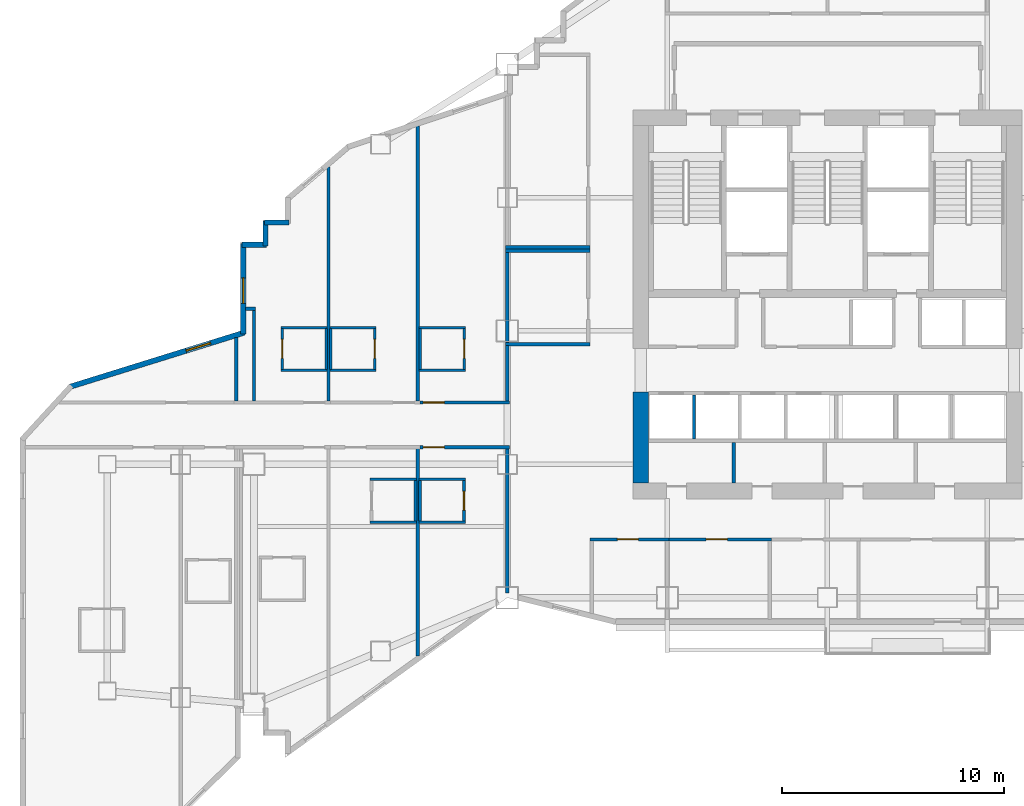
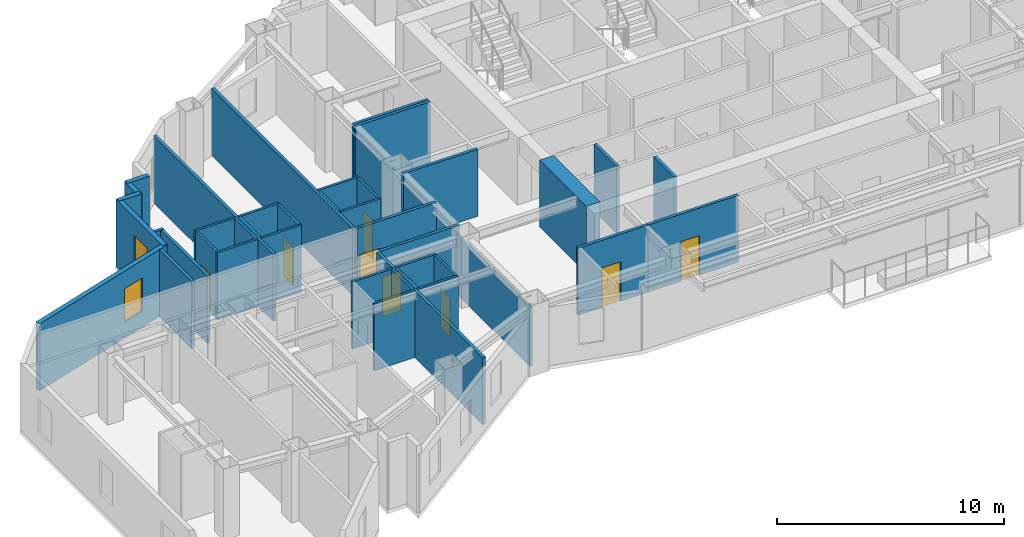
# One storey, part 6 of 13: 43 walls, 8 doors, 2 windows, 10 openings.
"""IFC4 building model written with IfcOpenShell, lengths in metres."""

import ifcopenshell
import ifcopenshell.guid

model = None  # the IFC model being written
_history = None  # IfcOwnerHistory: only IFC2X3 demands one
_inside = {}  # id of a spatial element -> (the spatial element, [elements in it])
_under = {}  # id of a project, library or spatial element -> (it, [spatial elements below it])
_declared = {}  # id of a project -> (the project, [libraries it declares])
_typed = {}  # id of a type object -> (the type object, [elements of that type])
_made_of = {}  # id of a material, layer set ... -> (it, [elements and type objects made of it])


def new_model(schema):
    """Start an empty IFC model of exactly this schema.

    Asked for "IFC4X3", IfcOpenShell would pick the latest addendum, in which some entities
    have other attributes; the version numbers below select the first issue.
    IFC2X3 requires an IfcOwnerHistory on every rooted entity: one is made here for all.
    """
    global model, _history
    if schema == "IFC4X3":
        model = ifcopenshell.file(schema_version=(4, 3, 0, 0))
    else:
        model = ifcopenshell.file(schema=schema)
    _inside.clear()
    _under.clear()
    _declared.clear()
    _typed.clear()
    _made_of.clear()
    _history = None
    if model.schema == "IFC2X3":
        org = make("IfcOrganization", Name="unknown")
        user = make(
            "IfcPersonAndOrganization",
            ThePerson=make("IfcPerson", FamilyName="unknown"),
            TheOrganization=org,
        )
        app = make(
            "IfcApplication",
            ApplicationDeveloper=org,
            Version="unknown",
            ApplicationFullName="unknown",
            ApplicationIdentifier="unknown",
        )
        _history = make(
            "IfcOwnerHistory",
            OwningUser=user,
            OwningApplication=app,
            ChangeAction="ADDED",
            CreationDate=0,
        )
    return model


def make(cls, **values):
    """One entity of the class cls with the attributes given. An attribute that is None is left unset."""
    return model.create_entity(
        cls, **{name: value for name, value in values.items() if value is not None}
    )


def rooted(cls, **values):
    """An entity with a GlobalId (a new one), such as an element, a storey or a relation."""
    return make(cls, GlobalId=ifcopenshell.guid.new(), OwnerHistory=_history, **values)


def si_unit(unit_type, name, prefix=None):
    """IfcSIUnit, for example si_unit("LENGTHUNIT", "METRE", prefix="MILLI")."""
    return make("IfcSIUnit", UnitType=unit_type, Prefix=prefix, Name=name)


def assignment(units):
    """IfcUnitAssignment: the units of a project."""
    return None if units is None else make("IfcUnitAssignment", Units=units)


def point(xyz):
    """IfcCartesianPoint."""
    return None if xyz is None else make("IfcCartesianPoint", Coordinates=xyz)


def direction(xyz):
    """IfcDirection."""
    return None if xyz is None else make("IfcDirection", DirectionRatios=xyz)


def frame(location, z_axis=None, x_axis=None):
    """IfcAxis2Placement3D, a coordinate frame: its origin and axes. An axis left out is left unset."""
    return make(
        "IfcAxis2Placement3D",
        Location=point(location),
        Axis=direction(z_axis),
        RefDirection=direction(x_axis),
    )


def frame_2d(location, x_axis=None):
    """IfcAxis2Placement2D, a coordinate frame in the plane: its origin and x axis."""
    return make(
        "IfcAxis2Placement2D", Location=point(location), RefDirection=direction(x_axis)
    )


def origin():
    """The frame at (0, 0, 0) with its axes left unset."""
    return frame((0.0, 0.0, 0.0))


def place(relative_to, where):
    """IfcLocalPlacement: puts the frame where relative to a parent placement (None: the world)."""
    return make(
        "IfcLocalPlacement", PlacementRelTo=relative_to, RelativePlacement=where
    )


def context(
    kind, dimensions, precision=None, world=None, true_north=None, identifier=None
):
    """IfcGeometricRepresentationContext, for example the 3D "Model" context."""
    return make(
        "IfcGeometricRepresentationContext",
        ContextIdentifier=identifier,
        ContextType=kind,
        CoordinateSpaceDimension=dimensions,
        Precision=precision,
        WorldCoordinateSystem=world,
        TrueNorth=true_north,
    )


def subcontext(parent, identifier, kind, view, scale=None):
    """IfcGeometricRepresentationSubContext, for example "Body" below "Model"."""
    return make(
        "IfcGeometricRepresentationSubContext",
        ContextIdentifier=identifier,
        ContextType=kind,
        ParentContext=parent,
        TargetScale=scale,
        TargetView=view,
    )


def project(units=None, contexts=None):
    """IfcProject with its units and contexts."""
    return rooted(
        "IfcProject",
        Name="project",
        RepresentationContexts=contexts,
        UnitsInContext=assignment(units),
    )


def spatial(cls, under=None, at=None, **own):
    """A site, building, storey or space (cls), placed at a placement, below another one or the project."""
    s = rooted(cls, ObjectPlacement=at, **own)
    if under is not None:
        _under.setdefault(under.id(), (under, []))[1].append(s)
    return s


def profile(cls, at=None, kind="AREA", **sizes):
    """A parametric profile (cls). Its sizes go by their IFC names, for example OverallWidth=200.0."""
    return make(cls, ProfileType=kind, Position=at, **sizes)


def rectangle(**sizes):
    """IfcRectangleProfileDef."""
    return profile("IfcRectangleProfileDef", **sizes)


def extrude(swept, where, along, depth):
    """IfcExtrudedAreaSolid: the profile swept, set in the frame where, extruded along a direction by depth."""
    return make(
        "IfcExtrudedAreaSolid",
        SweptArea=swept,
        Position=where,
        ExtrudedDirection=direction(along),
        Depth=depth,
    )


def shape(context_of_items, identifier, shape_type, items):
    """IfcShapeRepresentation: the items that make up one representation, for example the "Body"."""
    return make(
        "IfcShapeRepresentation",
        ContextOfItems=context_of_items,
        RepresentationIdentifier=identifier,
        RepresentationType=shape_type,
        Items=items,
    )


def material(Name=None, Category=None):
    """IfcMaterial."""
    return make("IfcMaterial", Name=Name, Category=Category)


def layer(
    of_material, thickness, ventilated=None, Name=None, Category=None, Priority=None
):
    """IfcMaterialLayer: one layer of a wall or slab, of a material (None: an air gap)."""
    return make(
        "IfcMaterialLayer",
        Material=of_material,
        LayerThickness=thickness,
        IsVentilated=ventilated,
        Name=Name,
        Category=Category,
        Priority=Priority,
    )


def layer_set(layers, Name=None):
    """IfcMaterialLayerSet."""
    return make("IfcMaterialLayerSet", MaterialLayers=layers, LayerSetName=Name)


def made_of(thing, what):
    """Note that an element or type object is made of a material, layer set ...; save() writes the relation."""
    if what is not None:
        _made_of.setdefault(what.id(), (what, []))[1].append(thing)
    return thing


def type_object(cls, material=None, **own):
    """A type object (cls), such as IfcWallType, which elements share."""
    return made_of(rooted(cls, **own), material)


def element(
    cls,
    number,
    at=None,
    inside=None,
    cuts=None,
    type_object=None,
    material=None,
    context=None,
    identifier="Body",
    shape_type=None,
    held_by="IfcProductDefinitionShape",
    body=None,
    shapes=None,
    **own,
):
    """One element of the class cls, such as IfcWall. Its Tag is "e" and its number.

    at: its placement. inside: the storey or other place that contains it. cuts: it is an
    opening in that element (IfcRelVoidsElement). A single representation is given by context,
    identifier, shape_type and body (its items); several are given by shapes. held_by: the class
    of the entity that holds the representations. save() writes the other relations.
    """
    e = rooted(cls, Tag="e%d" % number, ObjectPlacement=at, **own)
    if body is not None:
        shapes = [shape(context, identifier, shape_type, body)]
    if shapes is not None:
        e.Representation = make(held_by, Representations=shapes)
    if inside is not None:
        _inside.setdefault(inside.id(), (inside, []))[1].append(e)
    if cuts is not None:
        rooted(
            "IfcRelVoidsElement", RelatingBuildingElement=cuts, RelatedOpeningElement=e
        )
    if type_object is not None:
        _typed.setdefault(type_object.id(), (type_object, []))[1].append(e)
    return made_of(e, material)


def fill(opening, filler):
    """IfcRelFillsElement: the door or window that sits in an opening."""
    return rooted(
        "IfcRelFillsElement",
        RelatingOpeningElement=opening,
        RelatedBuildingElement=filler,
    )


def aggregate(whole, parts):
    """IfcRelAggregates: a whole, such as a stair, and the parts it consists of."""
    return rooted("IfcRelAggregates", RelatingObject=whole, RelatedObjects=parts)


def save(model, path):
    """Write the relations noted so far, then the file.

    IfcRelAggregates (storeys below a building ...), IfcRelContainedInSpatialStructure (elements
    in a storey), IfcRelDefinesByType, IfcRelAssociatesMaterial and IfcRelDeclares: one each for
    every whole, place, type object, material and project.
    """
    for whole, parts in _under.values():
        aggregate(whole, parts)
    for where, things in _inside.values():
        rooted(
            "IfcRelContainedInSpatialStructure",
            RelatedElements=things,
            RelatingStructure=where,
        )
    for kind, things in _typed.values():
        rooted("IfcRelDefinesByType", RelatedObjects=things, RelatingType=kind)
    for what, things in _made_of.values():
        rooted("IfcRelAssociatesMaterial", RelatedObjects=things, RelatingMaterial=what)
    for by, libraries in _declared.values():
        rooted("IfcRelDeclares", RelatingContext=by, RelatedDefinitions=libraries)
    model.write(path)


model = new_model("IFC4")

# Units and contexts
model_context = context("Model", 3, precision=1e-05, world=origin(), true_north=direction((0.0, 1.0)))
body_context = subcontext(model_context, "Body", "Model", "MODEL_VIEW")
ifc_project = project(units=[si_unit("LENGTHUNIT", "METRE"), si_unit("AREAUNIT", "SQUARE_METRE"), si_unit("VOLUMEUNIT", "CUBIC_METRE"), si_unit("PLANEANGLEUNIT", "RADIAN"), si_unit("MASSUNIT", "GRAM", prefix="KILO")], contexts=[model_context])

# Site, building, storey
site_placement = place(None, origin())
site = spatial("IfcSite", under=ifc_project, at=site_placement, CompositionType="ELEMENT")
building_placement = place(site_placement, origin())
building = spatial("IfcBuilding", under=site, at=building_placement, Name="Haolan Belvedere Tower", CompositionType="ELEMENT")
storey_placement = place(building_placement, frame((0.0, 0.0, 117.39990234375)))
storey = spatial("IfcBuildingStorey", under=building, at=storey_placement, Name="L29", CompositionType="ELEMENT", Elevation=117.39990234375)

# Walls
ifc_material_1 = material(Name="Concrete C60/75", Category="concrete")
ifc_layer_1 = layer(ifc_material_1, 0.699951171875, Name="Concrete C60/75")
ifc_layer_set_1 = layer_set([ifc_layer_1], Name="Concrete C60/75")
wall_type_1 = type_object("IfcWallType", Name="WL-CORE-700", PredefinedType="SHEAR", material=ifc_layer_set_1)
wall_1_placement = place(storey_placement, frame((30.0, 26.75, 0.0), z_axis=(0.0, 0.0, 1.0), x_axis=(0.0, 1.0, 0.0)))
element("IfcWall", 1, at=wall_1_placement, inside=storey, type_object=wall_type_1, Name="L29 central core shear wall WS", PredefinedType="SHEAR", context=body_context, shape_type="SweptSolid", body=[
    extrude(rectangle(XDim=4.10009765625, YDim=0.699951171875, at=frame_2d((2.050048828125, 0.0))), origin(), (0.0, 0.0, 1.0), 3.60009765625),
])
ifc_material_2 = material(Name="Precast concrete C40/50", Category="concrete")
ifc_layer_2 = layer(ifc_material_2, 0.239990234375, Name="Precast concrete C40/50")
ifc_layer_set_2 = layer_set([ifc_layer_2], Name="Precast concrete C40/50")
wall_type_2 = type_object("IfcWallType", Name="WL-EXT-240", PredefinedType="SOLIDWALL", material=ifc_layer_set_2)
wall_2_placement = place(storey_placement, frame((14.175048828125, 38.47998046875, 0.0), z_axis=(0.0, 0.0, 1.0), x_axis=(-1.0, 0.0, 0.0)))
element("IfcWall", 2, at=wall_2_placement, inside=storey, type_object=wall_type_2, Name="L29 pale-metal exterior spandrel wall 38.1", PredefinedType="SOLIDWALL", context=body_context, shape_type="SweptSolid", body=[
    extrude(rectangle(XDim=1.110107421875, YDim=0.239990234375, at=frame_2d((0.55517578125, 0.0))), origin(), (0.0, 0.0, 1.0), 3.60009765625),
])
wall_3_placement = place(storey_placement, frame((13.1201171875, 38.534912109375, 0.0), z_axis=(0.0, 0.0, 1.0), x_axis=(0.0, -1.0, 0.0)))
element("IfcWall", 3, at=wall_3_placement, inside=storey, type_object=wall_type_2, Name="L29 pale-metal exterior spandrel wall 39.1", PredefinedType="SOLIDWALL", context=body_context, shape_type="SweptSolid", body=[
    extrude(rectangle(XDim=1.10986328125, YDim=0.239990234375, at=frame_2d((0.554931640625, 0.0))), origin(), (0.0, 0.0, 1.0), 3.60009765625),
])
wall_4_placement = place(storey_placement, frame((13.175048828125, 37.47998046875, 0.0), z_axis=(0.0, 0.0, 1.0), x_axis=(-1.0, 0.0, 0.0)))
element("IfcWall", 4, at=wall_4_placement, inside=storey, type_object=wall_type_2, Name="L29 pale-metal exterior spandrel wall 40.1", PredefinedType="SOLIDWALL", context=body_context, shape_type="SweptSolid", body=[
    extrude(rectangle(XDim=1.110107421875, YDim=0.239990234375, at=frame_2d((0.55517578125, 0.0))), origin(), (0.0, 0.0, 1.0), 3.60009765625),
])

# Wall, opening, window
wall_5_placement = place(storey_placement, frame((12.1201171875, 37.534912109375, 0.0), z_axis=(0.0, 0.0, 1.0), x_axis=(0.0, -1.0, 0.0)))
wall_5 = element("IfcWall", 5, at=wall_5_placement, inside=storey, type_object=wall_type_2, Name="L29 pale-metal exterior spandrel wall 41.1", PredefinedType="SOLIDWALL", context=body_context, shape_type="SweptSolid", body=[
    extrude(rectangle(XDim=4.078369140625, YDim=0.239990234375, at=frame_2d((2.0390625, 0.0))), origin(), (0.0, 0.0, 1.0), 3.60009765625),
])
opening_1_placement = place(wall_5_placement, frame((1.550048828125, 0.0, 0.85009765625)))
opening_1 = element("IfcOpeningElement", 6, at=opening_1_placement, cuts=wall_5, Name="Opening W-02", PredefinedType="OPENING", context=body_context, shape_type="SweptSolid", body=[
    extrude(rectangle(XDim=1.14990234375, YDim=1.800048828125, at=frame_2d((0.574951171875, 0.89990234375))), frame((0.0, 0.1298828125, 0.0), z_axis=(0.0, -1.0, 0.0), x_axis=(1.0, 0.0, 0.0)), (0.0, 0.0, 1.0), 0.260009765625),
])
ifc_material_3 = material(Name="Anodised aluminium 6063-T6 and Low-E glass", Category="aluminium")
window_type = type_object("IfcWindowType", Name="WN-DECO-Z2", PartitioningType="SINGLE_PANEL", PredefinedType="WINDOW", material=ifc_material_3)
window_1_placement = place(opening_1_placement, origin())
window_1 = element("IfcWindow", 7, at=window_1_placement, inside=storey, type_object=window_type, Name="L29 Art Deco chevron window 1", OverallHeight=1.800048828125, OverallWidth=1.14990234375, PartitioningType="SINGLE_PANEL", PredefinedType="WINDOW", context=body_context, shape_type="SweptSolid", body=[
    extrude(rectangle(XDim=1.14990234375, YDim=1.800048828125, at=frame_2d((0.574951171875, 0.89990234375))), frame((0.0, 0.030029296875, 0.0), z_axis=(0.0, -1.0, 0.0), x_axis=(1.0, 0.0, 0.0)), (0.0, 0.0, 1.0), 0.06005859375),
])
fill(opening_1, window_1)

wall_6_placement = place(storey_placement, frame((12.172607421875, 33.52783203125, 0.0), z_axis=(0.0, 0.0, 1.0), x_axis=(-0.954920174609, -0.296862695745, 0.0)))
wall_6 = element("IfcWall", 8, at=wall_6_placement, inside=storey, type_object=wall_type_2, Name="L29 pale-metal exterior spandrel wall 42.1", PredefinedType="SOLIDWALL", context=body_context, shape_type="SweptSolid", body=[
    extrude(rectangle(XDim=8.250244140625, YDim=0.239990234375, at=frame_2d((4.125, 0.0))), origin(), (0.0, 0.0, 1.0), 3.60009765625),
])
opening_2_placement = place(wall_6_placement, frame((1.60009765625, 0.0, 0.85009765625)))
opening_2 = element("IfcOpeningElement", 9, at=opening_2_placement, cuts=wall_6, Name="Opening W-02", PredefinedType="OPENING", context=body_context, shape_type="SweptSolid", body=[
    extrude(rectangle(XDim=1.14990234375, YDim=1.800048828125, at=frame_2d((0.574951171875, 0.89990234375))), frame((0.0, 0.1298828125, 0.0), z_axis=(0.0, -1.0, 0.0), x_axis=(1.0, 0.0, 0.0)), (0.0, 0.0, 1.0), 0.260009765625),
])
window_2_placement = place(opening_2_placement, origin())
window_2 = element("IfcWindow", 10, at=window_2_placement, inside=storey, type_object=window_type, Name="L29 Art Deco chevron window 1", OverallHeight=1.800048828125, OverallWidth=1.14990234375, PartitioningType="SINGLE_PANEL", PredefinedType="WINDOW", context=body_context, shape_type="SweptSolid", body=[
    extrude(rectangle(XDim=1.14990234375, YDim=1.800048828125, at=frame_2d((0.574951171875, 0.89990234375))), frame((0.0, 0.030029296875, 0.0), z_axis=(0.0, -1.0, 0.0), x_axis=(1.0, 0.0, 0.0)), (0.0, 0.0, 1.0), 0.06005859375),
])
fill(opening_2, window_2)

# Walls
ifc_material_4 = material(Name="Double gypsum acoustic stud partition", Category="masonry")
ifc_layer_3 = layer(ifc_material_4, 0.14990234375, Name="Double gypsum acoustic stud partition")
ifc_layer_set_3 = layer_set([ifc_layer_3], Name="Double gypsum acoustic stud partition")
wall_type_3 = type_object("IfcWallType", Name="WL-PART-150", PredefinedType="PARTITIONING", material=ifc_layer_set_3)
wall_7_placement = place(storey_placement, frame((34.179931640625, 26.760009765625, 0.0), z_axis=(0.0, 0.0, 1.0), x_axis=(0.0, 1.0, 0.0)))
element("IfcWall", 11, at=wall_7_placement, inside=storey, type_object=wall_type_3, Name="L29 interior partition IW-L29-SCV-DIV-1", PredefinedType="PARTITIONING", context=body_context, shape_type="SweptSolid", body=[
    extrude(rectangle(XDim=1.820068359375, YDim=0.14990234375, at=frame_2d((0.91015625, 0.0))), origin(), (0.0, 0.0, 1.0), 3.60009765625),
])
for number, where, z_axis, x_axis, name in (
    (12, (23.919921875, 37.199951171875, 0.0), (0.0, 0.0, 1.0), (1.0, 0.0, 0.0), "L29 interior partition IW-L29-HSK-N"),
    (13, (23.919921875, 33.0, 0.0), (0.0, 0.0, 1.0), (1.0, 0.0, 0.0), "L29 interior partition IW-L29-HSK-S"),
):
    element("IfcWall", number, at=place(storey_placement, frame(where, z_axis=z_axis, x_axis=x_axis)), inside=storey, type_object=wall_type_3, Name=name, PredefinedType="PARTITIONING", context=body_context, shape_type="SweptSolid", body=[
        extrude(rectangle(XDim=3.800048828125, YDim=0.14990234375, at=frame_2d((1.89990234375, 0.0))), origin(), (0.0, 0.0, 1.0), 3.60009765625),
    ])
wall_8_placement = place(storey_placement, frame((24.0, 33.06005859375, 0.0), z_axis=(0.0, 0.0, 1.0), x_axis=(0.0, 1.0, 0.0)))
element("IfcWall", 14, at=wall_8_placement, inside=storey, type_object=wall_type_3, Name="L29 interior partition IW-L29-HSK-W", PredefinedType="PARTITIONING", context=body_context, shape_type="SweptSolid", body=[
    extrude(rectangle(XDim=4.079833984375, YDim=0.14990234375, at=frame_2d((2.0400390625, 0.0))), origin(), (0.0, 0.0, 1.0), 3.14501953125),
])
wall_9_placement = place(storey_placement, frame((23.919921875, 37.360107421875, 0.0), z_axis=(0.0, 0.0, 1.0), x_axis=(1.0, 0.0, 0.0)))
element("IfcWall", 15, at=wall_9_placement, inside=storey, type_object=wall_type_3, Name="L29 interior partition IW-L29-MTG-S", PredefinedType="PARTITIONING", context=body_context, shape_type="SweptSolid", body=[
    extrude(rectangle(XDim=3.800048828125, YDim=0.14990234375, at=frame_2d((1.89990234375, 0.0))), origin(), (0.0, 0.0, 1.0), 3.60009765625),
])

# Wall, opening, door
wall_10_placement = place(storey_placement, frame((27.719970703125, 24.219970703125, 0.0), z_axis=(0.0, 0.0, 1.0), x_axis=(1.0, 0.0, 0.0)))
wall_10 = element("IfcWall", 16, at=wall_10_placement, inside=storey, type_object=wall_type_3, Name="L29 interior partition IW-L29-KS2-N", PredefinedType="PARTITIONING", context=body_context, shape_type="SweptSolid", body=[
    extrude(rectangle(XDim=3.56005859375, YDim=0.14990234375, at=frame_2d((1.780029296875, 0.0))), origin(), (0.0, 0.0, 1.0), 3.60009765625),
])
opening_3_placement = place(wall_10_placement, frame((2.175048828125, 0.0, 0.0), z_axis=(0.0, 0.0, 1.0), x_axis=(-1.0, 0.0, 0.0)))
opening_3 = element("IfcOpeningElement", 17, at=opening_3_placement, cuts=wall_10, Name="Opening ID-03", PredefinedType="OPENING", context=body_context, shape_type="SweptSolid", body=[
    extrude(rectangle(XDim=0.949951171875, YDim=2.1201171875, at=frame_2d((0.47509765625, 1.06005859375))), frame((0.0, 0.0849609375, 0.0), z_axis=(0.0, -1.0, 0.0), x_axis=(1.0, 0.0, 0.0)), (0.0, 0.0, 1.0), 0.169921875),
])
ifc_material_5 = material(Name="Painted solid-core timber", Category="wood")
door_type_1 = type_object("IfcDoorType", Name="DR-INT-950", OperationType="NOTDEFINED", PredefinedType="DOOR", material=ifc_material_5)
door_1_placement = place(opening_3_placement, origin())
door_1 = element("IfcDoor", 18, at=door_1_placement, inside=storey, type_object=door_type_1, Name="L29 door ID-L29-KS2", OperationType="SINGLE_SWING_RIGHT", OverallHeight=2.1201171875, OverallWidth=0.949951171875, PredefinedType="DOOR", context=body_context, shape_type="SweptSolid", body=[
    extrude(rectangle(XDim=0.949951171875, YDim=2.1201171875, at=frame_2d((0.47509765625, 1.06005859375))), frame((0.0, 0.02490234375, 0.0), z_axis=(0.0, -1.0, 0.0), x_axis=(1.0, 0.0, 0.0)), (0.0, 0.0, 1.0), 0.050048828125),
])
fill(opening_3, door_1)

wall_11_placement = place(storey_placement, frame((31.281982421875, 24.219970703125, 0.0), z_axis=(0.0, 0.0, 1.0), x_axis=(1.0, 0.0, 0.0)))
wall_11 = element("IfcWall", 19, at=wall_11_placement, inside=storey, type_object=wall_type_3, Name="L29 interior partition IW-L29-KS3-N", PredefinedType="PARTITIONING", context=body_context, shape_type="SweptSolid", body=[
    extrude(rectangle(XDim=4.597900390625, YDim=0.14990234375, at=frame_2d((2.298828125, 0.0))), origin(), (0.0, 0.0, 1.0), 3.60009765625),
])
opening_4_placement = place(wall_11_placement, frame((2.613037109375, 0.0, 0.0), z_axis=(0.0, 0.0, 1.0), x_axis=(-1.0, 0.0, 0.0)))
opening_4 = element("IfcOpeningElement", 20, at=opening_4_placement, cuts=wall_11, Name="Opening ID-03", PredefinedType="OPENING", context=body_context, shape_type="SweptSolid", body=[
    extrude(rectangle(XDim=0.949951171875, YDim=2.1201171875, at=frame_2d((0.47509765625, 1.06005859375))), frame((0.0, 0.0849609375, 0.0), z_axis=(0.0, -1.0, 0.0), x_axis=(1.0, 0.0, 0.0)), (0.0, 0.0, 1.0), 0.169921875),
])
door_2_placement = place(opening_4_placement, origin())
door_2 = element("IfcDoor", 21, at=door_2_placement, inside=storey, type_object=door_type_1, Name="L29 door ID-L29-KS3", OperationType="SINGLE_SWING_LEFT", OverallHeight=2.1201171875, OverallWidth=0.949951171875, PredefinedType="DOOR", context=body_context, shape_type="SweptSolid", body=[
    extrude(rectangle(XDim=0.949951171875, YDim=2.1201171875, at=frame_2d((0.47509765625, 1.06005859375))), frame((0.0, 0.02490234375, 0.0), z_axis=(0.0, -1.0, 0.0), x_axis=(1.0, 0.0, 0.0)), (0.0, 0.0, 1.0), 0.050048828125),
])
fill(opening_4, door_2)

# Walls
wall_12_placement = place(storey_placement, frame((11.800048828125, 30.43994140625, 0.0), z_axis=(0.0, 0.0, 1.0), x_axis=(0.0, 1.0, 0.0)))
element("IfcWall", 22, at=wall_12_placement, inside=storey, type_object=wall_type_3, Name="L29 interior partition IW-L29-T2N1-W", PredefinedType="PARTITIONING", context=body_context, shape_type="SweptSolid", body=[
    extrude(rectangle(XDim=2.862060546875, YDim=0.14990234375, at=frame_2d((1.43115234375, 0.0))), origin(), (0.0, 0.0, 1.0), 3.60009765625),
])
wall_13_placement = place(storey_placement, frame((15.949951171875, 30.43994140625, 0.0), z_axis=(0.0, 0.0, 1.0), x_axis=(0.0, 1.0, 0.0)))
element("IfcWall", 23, at=wall_13_placement, inside=storey, type_object=wall_type_3, Name="L29 interior partition IW-L29-T2N1-E", PredefinedType="PARTITIONING", context=body_context, shape_type="SweptSolid", body=[
    extrude(rectangle(XDim=10.53515625, YDim=0.14990234375, at=frame_2d((5.267578125, 0.0))), origin(), (0.0, 0.0, 1.0), 3.60009765625),
])
wall_14_placement = place(storey_placement, frame((19.969970703125, 30.43994140625, 0.0), z_axis=(0.0, 0.0, 1.0), x_axis=(0.0, 1.0, 0.0)))
element("IfcWall", 24, at=wall_14_placement, inside=storey, type_object=wall_type_3, Name="L29 interior partition IW-L29-T2N2-E", PredefinedType="PARTITIONING", context=body_context, shape_type="SweptSolid", body=[
    extrude(rectangle(XDim=12.379638671875, YDim=0.14990234375, at=frame_2d((6.18994140625, 0.0))), origin(), (0.0, 0.0, 1.0), 3.60009765625),
])

# Wall, opening, door
wall_15_placement = place(storey_placement, frame((20.072021484375, 30.3798828125, 0.0), z_axis=(0.0, 0.0, 1.0), x_axis=(1.0, 0.0, 0.0)))
wall_15 = element("IfcWall", 25, at=wall_15_placement, inside=storey, type_object=wall_type_3, Name="L29 interior partition IW-L29-T2N3-S", PredefinedType="PARTITIONING", context=body_context, shape_type="SweptSolid", body=[
    extrude(rectangle(XDim=4.028076171875, YDim=0.14990234375, at=frame_2d((2.01416015625, 0.0))), origin(), (0.0, 0.0, 1.0), 3.60009765625),
])
opening_5_placement = place(wall_15_placement, frame((0.139892578125, 0.0, 0.0)))
opening_5 = element("IfcOpeningElement", 26, at=opening_5_placement, cuts=wall_15, Name="Opening ID-02", PredefinedType="OPENING", context=body_context, shape_type="SweptSolid", body=[
    extrude(rectangle(XDim=0.949951171875, YDim=2.14990234375, at=frame_2d((0.47509765625, 1.074951171875))), frame((0.0, 0.0849609375, 0.0), z_axis=(0.0, -1.0, 0.0), x_axis=(1.0, 0.0, 0.0)), (0.0, 0.0, 1.0), 0.169921875),
])
ifc_material_6 = material(Name="Acoustic oak veneer fire-rated timber", Category="wood")
door_type_2 = type_object("IfcDoorType", Name="DR-GUEST-950", OperationType="NOTDEFINED", PredefinedType="DOOR", material=ifc_material_6)
door_3_placement = place(opening_5_placement, origin())
door_3 = element("IfcDoor", 27, at=door_3_placement, inside=storey, type_object=door_type_2, Name="L29 door ID-L29-T2N3-ENT", OperationType="SINGLE_SWING_RIGHT", OverallHeight=2.14990234375, OverallWidth=0.949951171875, PredefinedType="DOOR", context=body_context, shape_type="SweptSolid", body=[
    extrude(rectangle(XDim=0.949951171875, YDim=2.14990234375, at=frame_2d((0.47509765625, 1.074951171875))), frame((0.0, 0.02490234375, 0.0), z_axis=(0.0, -1.0, 0.0), x_axis=(1.0, 0.0, 0.0)), (0.0, 0.0, 1.0), 0.050048828125),
])
fill(opening_5, door_3)

# Walls
wall_16_placement = place(storey_placement, frame((24.0, 30.43994140625, 0.0), z_axis=(0.0, 0.0, 1.0), x_axis=(0.0, 1.0, 0.0)))
element("IfcWall", 28, at=wall_16_placement, inside=storey, type_object=wall_type_3, Name="L29 interior partition IW-L29-T2N3-E", PredefinedType="PARTITIONING", context=body_context, shape_type="SweptSolid", body=[
    extrude(rectangle(XDim=2.5, YDim=0.14990234375, at=frame_2d((1.25, 0.0))), origin(), (0.0, 0.0, 1.0), 3.14501953125),
])
wall_17_placement = place(storey_placement, frame((19.969970703125, 18.9755859375, 0.0), z_axis=(0.0, 0.0, 1.0), x_axis=(0.0, 1.0, 0.0)))
element("IfcWall", 29, at=wall_17_placement, inside=storey, type_object=wall_type_3, Name="L29 interior partition IW-L29-T2S2-E", PredefinedType="PARTITIONING", context=body_context, shape_type="SweptSolid", body=[
    extrude(rectangle(XDim=9.33447265625, YDim=0.14990234375, at=frame_2d((4.667236328125, 0.0))), origin(), (0.0, 0.0, 1.0), 3.60009765625),
])

# Wall, opening, door
wall_18_placement = place(storey_placement, frame((20.072021484375, 28.3701171875, 0.0), z_axis=(0.0, 0.0, 1.0), x_axis=(1.0, 0.0, 0.0)))
wall_18 = element("IfcWall", 30, at=wall_18_placement, inside=storey, type_object=wall_type_3, Name="L29 interior partition IW-L29-T2S3-N", PredefinedType="PARTITIONING", context=body_context, shape_type="SweptSolid", body=[
    extrude(rectangle(XDim=4.028076171875, YDim=0.14990234375, at=frame_2d((2.01416015625, 0.0))), origin(), (0.0, 0.0, 1.0), 3.60009765625),
])
opening_6_placement = place(wall_18_placement, frame((1.08984375, 0.0, 0.0), z_axis=(0.0, 0.0, 1.0), x_axis=(-1.0, 0.0, 0.0)))
opening_6 = element("IfcOpeningElement", 31, at=opening_6_placement, cuts=wall_18, Name="Opening ID-02", PredefinedType="OPENING", context=body_context, shape_type="SweptSolid", body=[
    extrude(rectangle(XDim=0.949951171875, YDim=2.14990234375, at=frame_2d((0.47509765625, 1.074951171875))), frame((0.0, 0.0849609375, 0.0), z_axis=(0.0, -1.0, 0.0), x_axis=(1.0, 0.0, 0.0)), (0.0, 0.0, 1.0), 0.169921875),
])
door_4_placement = place(opening_6_placement, origin())
door_4 = element("IfcDoor", 32, at=door_4_placement, inside=storey, type_object=door_type_2, Name="L29 door ID-L29-T2S3-ENT", OperationType="SINGLE_SWING_LEFT", OverallHeight=2.14990234375, OverallWidth=0.949951171875, PredefinedType="DOOR", context=body_context, shape_type="SweptSolid", body=[
    extrude(rectangle(XDim=0.949951171875, YDim=2.14990234375, at=frame_2d((0.47509765625, 1.074951171875))), frame((0.0, 0.02490234375, 0.0), z_axis=(0.0, -1.0, 0.0), x_axis=(1.0, 0.0, 0.0)), (0.0, 0.0, 1.0), 0.050048828125),
])
fill(opening_6, door_4)

# Walls
wall_19_placement = place(storey_placement, frame((24.0, 21.818603515625, 0.0), z_axis=(0.0, 0.0, 1.0), x_axis=(0.0, 1.0, 0.0)))
element("IfcWall", 33, at=wall_19_placement, inside=storey, type_object=wall_type_3, Name="L29 interior partition IW-L29-T2S3-E", PredefinedType="PARTITIONING", context=body_context, shape_type="SweptSolid", body=[
    extrude(rectangle(XDim=6.491455078125, YDim=0.14990234375, at=frame_2d((3.24560546875, 0.0))), origin(), (0.0, 0.0, 1.0), 3.14501953125),
])
wall_20_placement = place(storey_placement, frame((12.22509765625, 34.60009765625, 0.0), z_axis=(0.0, 0.0, 1.0), x_axis=(1.0, 0.0, 0.0)))
element("IfcWall", 34, at=wall_20_placement, inside=storey, type_object=wall_type_3, Name="L29 interior partition IW-L29-T1N1-N", PredefinedType="PARTITIONING", context=body_context, shape_type="SweptSolid", body=[
    extrude(rectangle(XDim=0.454833984375, YDim=0.14990234375, at=frame_2d((0.2275390625, 0.0))), origin(), (0.0, 0.0, 1.0), 3.60009765625),
])
wall_21_placement = place(storey_placement, frame((12.60009765625, 30.43994140625, 0.0), z_axis=(0.0, 0.0, 1.0), x_axis=(0.0, 1.0, 0.0)))
element("IfcWall", 35, at=wall_21_placement, inside=storey, type_object=wall_type_3, Name="L29 interior partition IW-L29-T1N1-E", PredefinedType="PARTITIONING", context=body_context, shape_type="SweptSolid", body=[
    extrude(rectangle(XDim=4.10009765625, YDim=0.14990234375, at=frame_2d((2.050048828125, 0.0))), origin(), (0.0, 0.0, 1.0), 3.60009765625),
])
ifc_material_7 = material(Name="Gypsum fire shaftwall assembly", Category="masonry")
ifc_layer_4 = layer(ifc_material_7, 0.1650390625, Name="Gypsum fire shaftwall assembly")
ifc_layer_set_4 = layer_set([ifc_layer_4], Name="Gypsum fire shaftwall assembly")
wall_type_4 = type_object("IfcWallType", Name="WL-SHAFT-160", PredefinedType="SOLIDWALL", material=ifc_layer_set_4)
wall_22_placement = place(storey_placement, frame((32.39990234375, 28.735107421875, 0.0), z_axis=(0.0, 0.0, 1.0), x_axis=(0.0, 1.0, 0.0)))
element("IfcWall", 36, at=wall_22_placement, inside=storey, type_object=wall_type_4, Name="L29 interior partition IW-L29-DIV-PM1", PredefinedType="SOLIDWALL", context=body_context, shape_type="SweptSolid", body=[
    extrude(rectangle(XDim=1.98486328125, YDim=0.14990234375, at=frame_2d((0.992431640625, 0.0))), origin(), (0.0, 0.0, 1.0), 3.60009765625),
])
ifc_material_8 = material(Name="Moisture-resistant gypsum tile partition", Category="masonry")
ifc_layer_5 = layer(ifc_material_8, 0.1201171875, Name="Moisture-resistant gypsum tile partition")
ifc_layer_set_5 = layer_set([ifc_layer_5], Name="Moisture-resistant gypsum tile partition")
wall_type_5 = type_object("IfcWallType", Name="WL-WET-120", PredefinedType="PARTITIONING", material=ifc_layer_set_5)
for number, where, z_axis, x_axis, name in (
    (37, (13.81005859375, 33.75, 0.0), (0.0, 0.0, 1.0), (1.0, 0.0, 0.0), "L29 interior partition IW-L29-T2N1-BN"),
    (38, (13.81005859375, 31.830078125, 0.0), (0.0, 0.0, 1.0), (1.0, 0.0, 0.0), "L29 interior partition IW-L29-T2N1-BS"),
):
    element("IfcWall", number, at=place(storey_placement, frame(where, z_axis=z_axis, x_axis=x_axis)), inside=storey, type_object=wall_type_5, Name=name, PredefinedType="PARTITIONING", context=body_context, shape_type="SweptSolid", body=[
        extrude(rectangle(XDim=2.079833984375, YDim=0.1201171875, at=frame_2d((1.0400390625, 0.0))), origin(), (0.0, 0.0, 1.0), 3.60009765625),
    ])

# Wall, opening, door
wall_23_placement = place(storey_placement, frame((13.8701171875, 31.875, 0.0), z_axis=(0.0, 0.0, 1.0), x_axis=(0.0, 1.0, 0.0)))
wall_23 = element("IfcWall", 39, at=wall_23_placement, inside=storey, type_object=wall_type_5, Name="L29 interior partition IW-L29-T2N1-BW", PredefinedType="PARTITIONING", context=body_context, shape_type="SweptSolid", body=[
    extrude(rectangle(XDim=1.830078125, YDim=0.1201171875, at=frame_2d((0.9150390625, 0.0))), origin(), (0.0, 0.0, 1.0), 3.60009765625),
])
opening_7_placement = place(wall_23_placement, frame((1.340087890625, 0.0, 0.0), z_axis=(0.0, 0.0, 1.0), x_axis=(-1.0, 0.0, 0.0)))
opening_7 = element("IfcOpeningElement", 40, at=opening_7_placement, cuts=wall_23, Name="Opening ID-05", PredefinedType="OPENING", context=body_context, shape_type="SweptSolid", body=[
    extrude(rectangle(XDim=0.85009765625, YDim=2.10009765625, at=frame_2d((0.425048828125, 1.050048828125))), frame((0.0, 0.070068359375, 0.0), z_axis=(0.0, -1.0, 0.0), x_axis=(1.0, 0.0, 0.0)), (0.0, 0.0, 1.0), 0.14013671875),
])
ifc_material_9 = material(Name="Moisture-resistant lacquered timber", Category="wood")
door_type_3 = type_object("IfcDoorType", Name="DR-BATH-850", OperationType="NOTDEFINED", PredefinedType="DOOR", material=ifc_material_9)
door_5_placement = place(opening_7_placement, origin())
door_5 = element("IfcDoor", 41, at=door_5_placement, inside=storey, type_object=door_type_3, Name="L29 door ID-L29-T2N1-BATH", OperationType="SINGLE_SWING_LEFT", OverallHeight=2.10009765625, OverallWidth=0.85009765625, PredefinedType="DOOR", context=body_context, shape_type="SweptSolid", body=[
    extrude(rectangle(XDim=0.85009765625, YDim=2.10009765625, at=frame_2d((0.425048828125, 1.050048828125))), frame((0.0, 0.02490234375, 0.0), z_axis=(0.0, -1.0, 0.0), x_axis=(1.0, 0.0, 0.0)), (0.0, 0.0, 1.0), 0.050048828125),
])
fill(opening_7, door_5)

# Walls
wall_24_placement = place(storey_placement, frame((15.85009765625, 31.875, 0.0), z_axis=(0.0, 0.0, 1.0), x_axis=(0.0, 1.0, 0.0)))
element("IfcWall", 42, at=wall_24_placement, inside=storey, type_object=wall_type_5, Name="L29 interior partition IW-L29-T2N1-BE", PredefinedType="PARTITIONING", context=body_context, shape_type="SweptSolid", body=[
    extrude(rectangle(XDim=1.830078125, YDim=0.1201171875, at=frame_2d((0.9150390625, 0.0))), origin(), (0.0, 0.0, 1.0), 3.60009765625),
])
for number, where, z_axis, x_axis, name in (
    (43, (16.010009765625, 33.75, 0.0), (0.0, 0.0, 1.0), (1.0, 0.0, 0.0), "L29 interior partition IW-L29-T2N2-BN"),
    (44, (16.010009765625, 31.830078125, 0.0), (0.0, 0.0, 1.0), (1.0, 0.0, 0.0), "L29 interior partition IW-L29-T2N2-BS"),
):
    element("IfcWall", number, at=place(storey_placement, frame(where, z_axis=z_axis, x_axis=x_axis)), inside=storey, type_object=wall_type_5, Name=name, PredefinedType="PARTITIONING", context=body_context, shape_type="SweptSolid", body=[
        extrude(rectangle(XDim=2.080078125, YDim=0.1201171875, at=frame_2d((1.0400390625, 0.0))), origin(), (0.0, 0.0, 1.0), 3.60009765625),
    ])
wall_25_placement = place(storey_placement, frame((16.050048828125, 31.875, 0.0), z_axis=(0.0, 0.0, 1.0), x_axis=(0.0, 1.0, 0.0)))
element("IfcWall", 45, at=wall_25_placement, inside=storey, type_object=wall_type_5, Name="L29 interior partition IW-L29-T2N2-BW", PredefinedType="PARTITIONING", context=body_context, shape_type="SweptSolid", body=[
    extrude(rectangle(XDim=1.830078125, YDim=0.1201171875, at=frame_2d((0.9150390625, 0.0))), origin(), (0.0, 0.0, 1.0), 3.60009765625),
])

# Wall, opening, door
wall_26_placement = place(storey_placement, frame((18.030029296875, 31.875, 0.0), z_axis=(0.0, 0.0, 1.0), x_axis=(0.0, 1.0, 0.0)))
wall_26 = element("IfcWall", 46, at=wall_26_placement, inside=storey, type_object=wall_type_5, Name="L29 interior partition IW-L29-T2N2-BE", PredefinedType="PARTITIONING", context=body_context, shape_type="SweptSolid", body=[
    extrude(rectangle(XDim=1.830078125, YDim=0.1201171875, at=frame_2d((0.9150390625, 0.0))), origin(), (0.0, 0.0, 1.0), 3.60009765625),
])
opening_8_placement = place(wall_26_placement, frame((0.489990234375, 0.0, 0.0)))
opening_8 = element("IfcOpeningElement", 47, at=opening_8_placement, cuts=wall_26, Name="Opening ID-05", PredefinedType="OPENING", context=body_context, shape_type="SweptSolid", body=[
    extrude(rectangle(XDim=0.85009765625, YDim=2.10009765625, at=frame_2d((0.425048828125, 1.050048828125))), frame((0.0, 0.070068359375, 0.0), z_axis=(0.0, -1.0, 0.0), x_axis=(1.0, 0.0, 0.0)), (0.0, 0.0, 1.0), 0.14013671875),
])
door_6_placement = place(opening_8_placement, origin())
door_6 = element("IfcDoor", 48, at=door_6_placement, inside=storey, type_object=door_type_3, Name="L29 door ID-L29-T2N2-BATH", OperationType="SINGLE_SWING_RIGHT", OverallHeight=2.10009765625, OverallWidth=0.85009765625, PredefinedType="DOOR", context=body_context, shape_type="SweptSolid", body=[
    extrude(rectangle(XDim=0.85009765625, YDim=2.10009765625, at=frame_2d((0.425048828125, 1.050048828125))), frame((0.0, 0.02490234375, 0.0), z_axis=(0.0, -1.0, 0.0), x_axis=(1.0, 0.0, 0.0)), (0.0, 0.0, 1.0), 0.050048828125),
])
fill(opening_8, door_6)

# Walls
for number, where, z_axis, x_axis, name in (
    (49, (20.030029296875, 33.75, 0.0), (0.0, 0.0, 1.0), (1.0, 0.0, 0.0), "L29 interior partition IW-L29-T2N3-BN"),
    (50, (20.030029296875, 31.830078125, 0.0), (0.0, 0.0, 1.0), (1.0, 0.0, 0.0), "L29 interior partition IW-L29-T2N3-BS"),
):
    element("IfcWall", number, at=place(storey_placement, frame(where, z_axis=z_axis, x_axis=x_axis)), inside=storey, type_object=wall_type_5, Name=name, PredefinedType="PARTITIONING", context=body_context, shape_type="SweptSolid", body=[
        extrude(rectangle(XDim=2.09423828125, YDim=0.1201171875, at=frame_2d((1.047119140625, 0.0))), origin(), (0.0, 0.0, 1.0), 3.60009765625),
    ])
wall_27_placement = place(storey_placement, frame((20.084228515625, 31.875, 0.0), z_axis=(0.0, 0.0, 1.0), x_axis=(0.0, 1.0, 0.0)))
element("IfcWall", 51, at=wall_27_placement, inside=storey, type_object=wall_type_5, Name="L29 interior partition IW-L29-T2N3-BW", PredefinedType="PARTITIONING", context=body_context, shape_type="SweptSolid", body=[
    extrude(rectangle(XDim=1.830078125, YDim=0.1201171875, at=frame_2d((0.9150390625, 0.0))), origin(), (0.0, 0.0, 1.0), 3.60009765625),
])

# Wall, opening, door
wall_28_placement = place(storey_placement, frame((22.064208984375, 31.875, 0.0), z_axis=(0.0, 0.0, 1.0), x_axis=(0.0, 1.0, 0.0)))
wall_28 = element("IfcWall", 52, at=wall_28_placement, inside=storey, type_object=wall_type_5, Name="L29 interior partition IW-L29-T2N3-BE", PredefinedType="PARTITIONING", context=body_context, shape_type="SweptSolid", body=[
    extrude(rectangle(XDim=1.830078125, YDim=0.1201171875, at=frame_2d((0.9150390625, 0.0))), origin(), (0.0, 0.0, 1.0), 3.60009765625),
])
opening_9_placement = place(wall_28_placement, frame((0.489990234375, 0.0, 0.0)))
opening_9 = element("IfcOpeningElement", 53, at=opening_9_placement, cuts=wall_28, Name="Opening ID-05", PredefinedType="OPENING", context=body_context, shape_type="SweptSolid", body=[
    extrude(rectangle(XDim=0.85009765625, YDim=2.10009765625, at=frame_2d((0.425048828125, 1.050048828125))), frame((0.0, 0.070068359375, 0.0), z_axis=(0.0, -1.0, 0.0), x_axis=(1.0, 0.0, 0.0)), (0.0, 0.0, 1.0), 0.14013671875),
])
door_7_placement = place(opening_9_placement, origin())
door_7 = element("IfcDoor", 54, at=door_7_placement, inside=storey, type_object=door_type_3, Name="L29 door ID-L29-T2N3-BATH", OperationType="SINGLE_SWING_LEFT", OverallHeight=2.10009765625, OverallWidth=0.85009765625, PredefinedType="DOOR", context=body_context, shape_type="SweptSolid", body=[
    extrude(rectangle(XDim=0.85009765625, YDim=2.10009765625, at=frame_2d((0.425048828125, 1.050048828125))), frame((0.0, 0.02490234375, 0.0), z_axis=(0.0, -1.0, 0.0), x_axis=(1.0, 0.0, 0.0)), (0.0, 0.0, 1.0), 0.050048828125),
])
fill(opening_9, door_7)

# Walls
for number, where, z_axis, x_axis, name in (
    (55, (17.830078125, 26.919921875, 0.0), (0.0, 0.0, 1.0), (1.0, 0.0, 0.0), "L29 interior partition IW-L29-T2S2-BN"),
    (56, (17.830078125, 25.0, 0.0), (0.0, 0.0, 1.0), (1.0, 0.0, 0.0), "L29 interior partition IW-L29-T2S2-BS"),
):
    element("IfcWall", number, at=place(storey_placement, frame(where, z_axis=z_axis, x_axis=x_axis)), inside=storey, type_object=wall_type_5, Name=name, PredefinedType="PARTITIONING", context=body_context, shape_type="SweptSolid", body=[
        extrude(rectangle(XDim=2.079833984375, YDim=0.1201171875, at=frame_2d((1.0400390625, 0.0))), origin(), (0.0, 0.0, 1.0), 3.60009765625),
    ])
wall_29_placement = place(storey_placement, frame((19.8701171875, 25.044921875, 0.0), z_axis=(0.0, 0.0, 1.0), x_axis=(0.0, 1.0, 0.0)))
element("IfcWall", 57, at=wall_29_placement, inside=storey, type_object=wall_type_5, Name="L29 interior partition IW-L29-T2S2-BE", PredefinedType="PARTITIONING", context=body_context, shape_type="SweptSolid", body=[
    extrude(rectangle(XDim=1.830078125, YDim=0.1201171875, at=frame_2d((0.9150390625, 0.0))), origin(), (0.0, 0.0, 1.0), 3.60009765625),
])
for number, where, z_axis, x_axis, name in (
    (58, (20.030029296875, 26.919921875, 0.0), (0.0, 0.0, 1.0), (1.0, 0.0, 0.0), "L29 interior partition IW-L29-T2S3-BN"),
    (59, (20.030029296875, 25.0, 0.0), (0.0, 0.0, 1.0), (1.0, 0.0, 0.0), "L29 interior partition IW-L29-T2S3-BS"),
):
    element("IfcWall", number, at=place(storey_placement, frame(where, z_axis=z_axis, x_axis=x_axis)), inside=storey, type_object=wall_type_5, Name=name, PredefinedType="PARTITIONING", context=body_context, shape_type="SweptSolid", body=[
        extrude(rectangle(XDim=2.080078125, YDim=0.1201171875, at=frame_2d((1.0400390625, 0.0))), origin(), (0.0, 0.0, 1.0), 3.60009765625),
    ])
wall_30_placement = place(storey_placement, frame((20.070068359375, 25.044921875, 0.0), z_axis=(0.0, 0.0, 1.0), x_axis=(0.0, 1.0, 0.0)))
element("IfcWall", 60, at=wall_30_placement, inside=storey, type_object=wall_type_5, Name="L29 interior partition IW-L29-T2S3-BW", PredefinedType="PARTITIONING", context=body_context, shape_type="SweptSolid", body=[
    extrude(rectangle(XDim=1.830078125, YDim=0.1201171875, at=frame_2d((0.9150390625, 0.0))), origin(), (0.0, 0.0, 1.0), 3.60009765625),
])

# Wall, opening, door
wall_31_placement = place(storey_placement, frame((22.050048828125, 25.044921875, 0.0), z_axis=(0.0, 0.0, 1.0), x_axis=(0.0, 1.0, 0.0)))
wall_31 = element("IfcWall", 61, at=wall_31_placement, inside=storey, type_object=wall_type_5, Name="L29 interior partition IW-L29-T2S3-BE", PredefinedType="PARTITIONING", context=body_context, shape_type="SweptSolid", body=[
    extrude(rectangle(XDim=1.830078125, YDim=0.1201171875, at=frame_2d((0.9150390625, 0.0))), origin(), (0.0, 0.0, 1.0), 3.60009765625),
])
opening_10_placement = place(wall_31_placement, frame((0.489990234375, 0.0, 0.0)))
opening_10 = element("IfcOpeningElement", 62, at=opening_10_placement, cuts=wall_31, Name="Opening ID-05", PredefinedType="OPENING", context=body_context, shape_type="SweptSolid", body=[
    extrude(rectangle(XDim=0.85009765625, YDim=2.10009765625, at=frame_2d((0.425048828125, 1.050048828125))), frame((0.0, 0.070068359375, 0.0), z_axis=(0.0, -1.0, 0.0), x_axis=(1.0, 0.0, 0.0)), (0.0, 0.0, 1.0), 0.14013671875),
])
door_8_placement = place(opening_10_placement, origin())
door_8 = element("IfcDoor", 63, at=door_8_placement, inside=storey, type_object=door_type_3, Name="L29 door ID-L29-T2S3-BATH", OperationType="SINGLE_SWING_RIGHT", OverallHeight=2.10009765625, OverallWidth=0.85009765625, PredefinedType="DOOR", context=body_context, shape_type="SweptSolid", body=[
    extrude(rectangle(XDim=0.85009765625, YDim=2.10009765625, at=frame_2d((0.425048828125, 1.050048828125))), frame((0.0, 0.02490234375, 0.0), z_axis=(0.0, -1.0, 0.0), x_axis=(1.0, 0.0, 0.0)), (0.0, 0.0, 1.0), 0.050048828125),
])
fill(opening_10, door_8)

save(model, "model.ifc")
